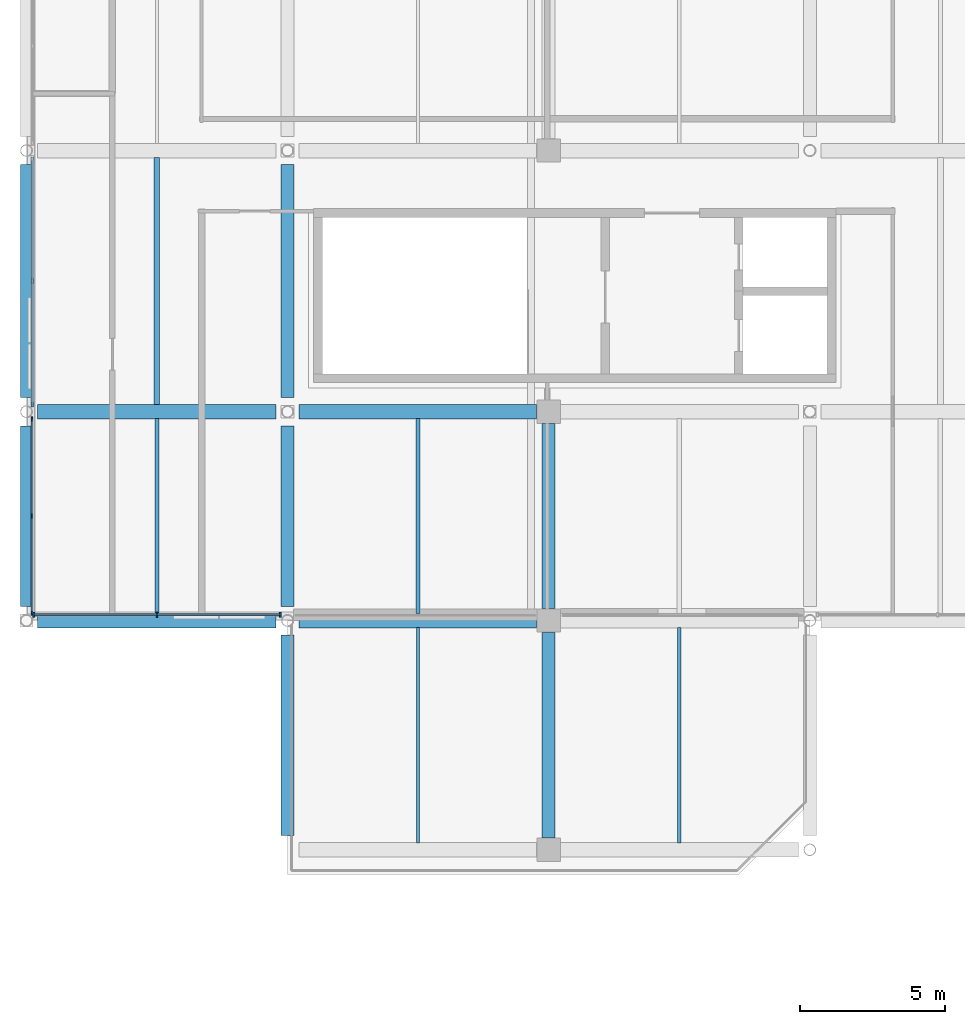
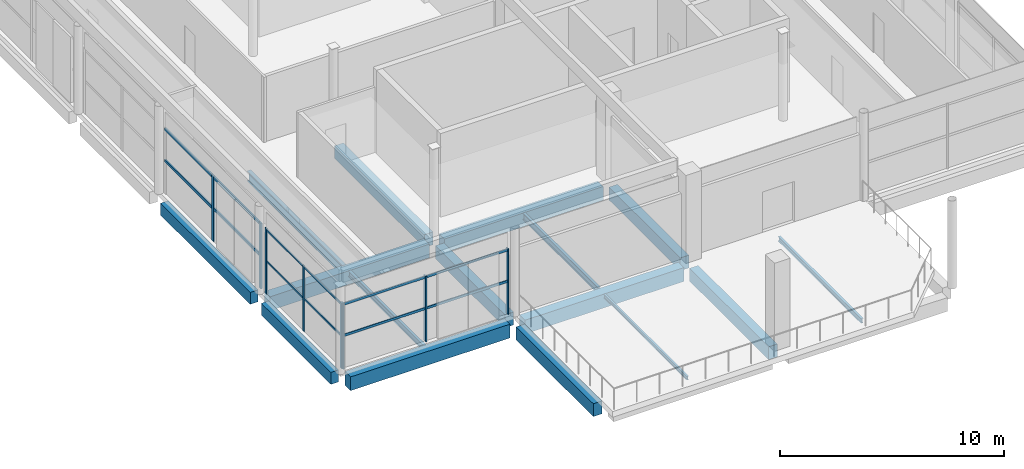
# One storey, part 7 of 114: 16 beams, 14 members, 3 elements without a shape of their own.
"""IFC4 building model written with IfcOpenShell, lengths in metres."""

import ifcopenshell
import ifcopenshell.guid

model = None  # the IFC model being written
_history = None  # IfcOwnerHistory: only IFC2X3 demands one
_inside = {}  # id of a spatial element -> (the spatial element, [elements in it])
_under = {}  # id of a project, library or spatial element -> (it, [spatial elements below it])
_declared = {}  # id of a project -> (the project, [libraries it declares])
_typed = {}  # id of a type object -> (the type object, [elements of that type])
_made_of = {}  # id of a material, layer set ... -> (it, [elements and type objects made of it])


def new_model(schema):
    """Start an empty IFC model of exactly this schema.

    Asked for "IFC4X3", IfcOpenShell would pick the latest addendum, in which some entities
    have other attributes; the version numbers below select the first issue.
    IFC2X3 requires an IfcOwnerHistory on every rooted entity: one is made here for all.
    """
    global model, _history
    if schema == "IFC4X3":
        model = ifcopenshell.file(schema_version=(4, 3, 0, 0))
    else:
        model = ifcopenshell.file(schema=schema)
    _inside.clear()
    _under.clear()
    _declared.clear()
    _typed.clear()
    _made_of.clear()
    _history = None
    if model.schema == "IFC2X3":
        org = make("IfcOrganization", Name="unknown")
        user = make(
            "IfcPersonAndOrganization",
            ThePerson=make("IfcPerson", FamilyName="unknown"),
            TheOrganization=org,
        )
        app = make(
            "IfcApplication",
            ApplicationDeveloper=org,
            Version="unknown",
            ApplicationFullName="unknown",
            ApplicationIdentifier="unknown",
        )
        _history = make(
            "IfcOwnerHistory",
            OwningUser=user,
            OwningApplication=app,
            ChangeAction="ADDED",
            CreationDate=0,
        )
    return model


def make(cls, **values):
    """One entity of the class cls with the attributes given. An attribute that is None is left unset."""
    return model.create_entity(
        cls, **{name: value for name, value in values.items() if value is not None}
    )


def rooted(cls, **values):
    """An entity with a GlobalId (a new one), such as an element, a storey or a relation."""
    return make(cls, GlobalId=ifcopenshell.guid.new(), OwnerHistory=_history, **values)


def si_unit(unit_type, name, prefix=None):
    """IfcSIUnit, for example si_unit("LENGTHUNIT", "METRE", prefix="MILLI")."""
    return make("IfcSIUnit", UnitType=unit_type, Prefix=prefix, Name=name)


def assignment(units):
    """IfcUnitAssignment: the units of a project."""
    return None if units is None else make("IfcUnitAssignment", Units=units)


def point(xyz):
    """IfcCartesianPoint."""
    return None if xyz is None else make("IfcCartesianPoint", Coordinates=xyz)


def direction(xyz):
    """IfcDirection."""
    return None if xyz is None else make("IfcDirection", DirectionRatios=xyz)


def frame(location, z_axis=None, x_axis=None):
    """IfcAxis2Placement3D, a coordinate frame: its origin and axes. An axis left out is left unset."""
    return make(
        "IfcAxis2Placement3D",
        Location=point(location),
        Axis=direction(z_axis),
        RefDirection=direction(x_axis),
    )


def frame_2d(location, x_axis=None):
    """IfcAxis2Placement2D, a coordinate frame in the plane: its origin and x axis."""
    return make(
        "IfcAxis2Placement2D", Location=point(location), RefDirection=direction(x_axis)
    )


def origin():
    """The frame at (0, 0, 0) with its axes left unset."""
    return frame((0.0, 0.0, 0.0))


def origin_2d():
    """The frame at (0, 0) in the plane with its x axis left unset."""
    return frame_2d((0.0, 0.0))


def place(relative_to, where):
    """IfcLocalPlacement: puts the frame where relative to a parent placement (None: the world)."""
    return make(
        "IfcLocalPlacement", PlacementRelTo=relative_to, RelativePlacement=where
    )


def context(
    kind, dimensions, precision=None, world=None, true_north=None, identifier=None
):
    """IfcGeometricRepresentationContext, for example the 3D "Model" context."""
    return make(
        "IfcGeometricRepresentationContext",
        ContextIdentifier=identifier,
        ContextType=kind,
        CoordinateSpaceDimension=dimensions,
        Precision=precision,
        WorldCoordinateSystem=world,
        TrueNorth=true_north,
    )


def subcontext(parent, identifier, kind, view, scale=None):
    """IfcGeometricRepresentationSubContext, for example "Body" below "Model"."""
    return make(
        "IfcGeometricRepresentationSubContext",
        ContextIdentifier=identifier,
        ContextType=kind,
        ParentContext=parent,
        TargetScale=scale,
        TargetView=view,
    )


def project(units=None, contexts=None):
    """IfcProject with its units and contexts."""
    return rooted(
        "IfcProject",
        Name="project",
        RepresentationContexts=contexts,
        UnitsInContext=assignment(units),
    )


def spatial(cls, under=None, at=None, **own):
    """A site, building, storey or space (cls), placed at a placement, below another one or the project."""
    s = rooted(cls, ObjectPlacement=at, **own)
    if under is not None:
        _under.setdefault(under.id(), (under, []))[1].append(s)
    return s


def profile(cls, at=None, kind="AREA", **sizes):
    """A parametric profile (cls). Its sizes go by their IFC names, for example OverallWidth=200.0."""
    return make(cls, ProfileType=kind, Position=at, **sizes)


def rectangle(**sizes):
    """IfcRectangleProfileDef."""
    return profile("IfcRectangleProfileDef", **sizes)


def i_section(**sizes):
    """IfcIShapeProfileDef."""
    return profile("IfcIShapeProfileDef", **sizes)


def extrude(swept, where, along, depth):
    """IfcExtrudedAreaSolid: the profile swept, set in the frame where, extruded along a direction by depth."""
    return make(
        "IfcExtrudedAreaSolid",
        SweptArea=swept,
        Position=where,
        ExtrudedDirection=direction(along),
        Depth=depth,
    )


def shape(context_of_items, identifier, shape_type, items):
    """IfcShapeRepresentation: the items that make up one representation, for example the "Body"."""
    return make(
        "IfcShapeRepresentation",
        ContextOfItems=context_of_items,
        RepresentationIdentifier=identifier,
        RepresentationType=shape_type,
        Items=items,
    )


def material(Name=None, Category=None):
    """IfcMaterial."""
    return make("IfcMaterial", Name=Name, Category=Category)


def material_profile(
    of_material, cross_section, Name=None, Category=None, Priority=None
):
    """IfcMaterialProfile: a cross section and its material."""
    return make(
        "IfcMaterialProfile",
        Name=Name,
        Material=of_material,
        Profile=cross_section,
        Priority=Priority,
        Category=Category,
    )


def profile_set(profiles, Name=None, composite=None):
    """IfcMaterialProfileSet."""
    return make(
        "IfcMaterialProfileSet",
        Name=Name,
        MaterialProfiles=profiles,
        CompositeProfile=composite,
    )


def made_of(thing, what):
    """Note that an element or type object is made of a material, layer set ...; save() writes the relation."""
    if what is not None:
        _made_of.setdefault(what.id(), (what, []))[1].append(thing)
    return thing


def type_object(cls, material=None, **own):
    """A type object (cls), such as IfcWallType, which elements share."""
    return made_of(rooted(cls, **own), material)


def element(
    cls,
    number,
    at=None,
    inside=None,
    cuts=None,
    type_object=None,
    material=None,
    context=None,
    identifier="Body",
    shape_type=None,
    held_by="IfcProductDefinitionShape",
    body=None,
    shapes=None,
    **own,
):
    """One element of the class cls, such as IfcWall. Its Tag is "e" and its number.

    at: its placement. inside: the storey or other place that contains it. cuts: it is an
    opening in that element (IfcRelVoidsElement). A single representation is given by context,
    identifier, shape_type and body (its items); several are given by shapes. held_by: the class
    of the entity that holds the representations. save() writes the other relations.
    """
    e = rooted(cls, Tag="e%d" % number, ObjectPlacement=at, **own)
    if body is not None:
        shapes = [shape(context, identifier, shape_type, body)]
    if shapes is not None:
        e.Representation = make(held_by, Representations=shapes)
    if inside is not None:
        _inside.setdefault(inside.id(), (inside, []))[1].append(e)
    if cuts is not None:
        rooted(
            "IfcRelVoidsElement", RelatingBuildingElement=cuts, RelatedOpeningElement=e
        )
    if type_object is not None:
        _typed.setdefault(type_object.id(), (type_object, []))[1].append(e)
    return made_of(e, material)


def aggregate(whole, parts):
    """IfcRelAggregates: a whole, such as a stair, and the parts it consists of."""
    return rooted("IfcRelAggregates", RelatingObject=whole, RelatedObjects=parts)


def save(model, path):
    """Write the relations noted so far, then the file.

    IfcRelAggregates (storeys below a building ...), IfcRelContainedInSpatialStructure (elements
    in a storey), IfcRelDefinesByType, IfcRelAssociatesMaterial and IfcRelDeclares: one each for
    every whole, place, type object, material and project.
    """
    for whole, parts in _under.values():
        aggregate(whole, parts)
    for where, things in _inside.values():
        rooted(
            "IfcRelContainedInSpatialStructure",
            RelatedElements=things,
            RelatingStructure=where,
        )
    for kind, things in _typed.values():
        rooted("IfcRelDefinesByType", RelatedObjects=things, RelatingType=kind)
    for what, things in _made_of.values():
        rooted("IfcRelAssociatesMaterial", RelatedObjects=things, RelatingMaterial=what)
    for by, libraries in _declared.values():
        rooted("IfcRelDeclares", RelatingContext=by, RelatedDefinitions=libraries)
    model.write(path)


model = new_model("IFC4")

# Units and contexts
model_context = context("Model", 3, precision=1e-05, world=origin(), true_north=direction((0.0, 1.0)))
body_context = subcontext(model_context, "Body", "Model", "MODEL_VIEW")
ifc_project = project(units=[si_unit("LENGTHUNIT", "METRE"), si_unit("AREAUNIT", "SQUARE_METRE"), si_unit("VOLUMEUNIT", "CUBIC_METRE"), si_unit("PLANEANGLEUNIT", "RADIAN"), si_unit("MASSUNIT", "GRAM", prefix="KILO"), si_unit("THERMODYNAMICTEMPERATUREUNIT", "KELVIN"), si_unit("POWERUNIT", "WATT")], contexts=[model_context])

# Site, building, storey
site_placement = place(None, origin())
site = spatial("IfcSite", under=ifc_project, at=site_placement, CompositionType="ELEMENT")
building_placement = place(site_placement, origin())
building = spatial("IfcBuilding", under=site, at=building_placement, Name="Sindhuravela Promenade Stadium", CompositionType="ELEMENT")
storey_placement = place(building_placement, frame((0.0, 0.0, 24.0)))
storey = spatial("IfcBuildingStorey", under=building, at=storey_placement, Name="L05", CompositionType="ELEMENT", Elevation=24.0)

# Curtain wall, members
ifc_material_1 = material(Name="Anodised architectural aluminium 6063-T6", Category="aluminium")
curtain_wall_type_1 = type_object("IfcCurtainWallType", Name="CW-MOD-3", PredefinedType="NOTDEFINED", material=ifc_material_1)
curtain_wall_1_placement = place(storey_placement, origin())
curtain_wall_1 = element("IfcCurtainWall", 1, at=curtain_wall_1_placement, inside=storey, type_object=curtain_wall_type_1, Name="Bronze curtain wall CW-WEST-L05-066", PredefinedType="NOTDEFINED")
ifc_material_profile_1 = material_profile(ifc_material_1, rectangle(XDim=0.074951171875, YDim=0.175048828125, at=origin_2d()), Name="ALU MULL 75x175")
ifc_profile_set_1 = profile_set([ifc_material_profile_1], Name="Anodised architectural aluminium 6063-T6")
member_type_1 = type_object("IfcMemberType", Name="CW-MUL-1", PredefinedType="MULLION", material=ifc_profile_set_1)
member_1_placement = place(storey_placement, frame((0.199951171875, 52.453125, 0.0), z_axis=(0.0, 0.0, 1.0), x_axis=(1.0, 0.0, 0.0)))
member_1 = element("IfcMember", 2, at=member_1_placement, type_object=member_type_1, Name="Curtain wall mullion CW-WEST-L05-066-M1", PredefinedType="MULLION", context=body_context, shape_type="SweptSolid", body=[
    extrude(rectangle(XDim=0.074951171875, YDim=0.175048828125, at=origin_2d()), origin(), (0.0, 0.0, 1.0), 3.580078125),
])
member_2_placement = place(storey_placement, frame((0.199951171875, 56.699951171875, 0.0), z_axis=(0.0, 0.0, 1.0), x_axis=(1.0, 0.0, 0.0)))
member_2 = element("IfcMember", 3, at=member_2_placement, type_object=member_type_1, Name="Curtain wall mullion CW-WEST-L05-066-M2", PredefinedType="MULLION", context=body_context, shape_type="SweptSolid", body=[
    extrude(rectangle(XDim=0.074951171875, YDim=0.175048828125, at=origin_2d()), origin(), (0.0, 0.0, 1.0), 3.580078125),
])

curtain_wall_type_2 = type_object("IfcCurtainWallType", Name="CW-MOD-7", PredefinedType="NOTDEFINED", material=ifc_material_1)
curtain_wall_2_placement = place(storey_placement, origin())
curtain_wall_2 = element("IfcCurtainWall", 4, at=curtain_wall_2_placement, inside=storey, type_object=curtain_wall_type_2, Name="Bronze curtain wall CW-WEST-L05-086", PredefinedType="NOTDEFINED")
ifc_material_profile_2 = material_profile(ifc_material_1, rectangle(XDim=0.06005859375, YDim=0.179931640625, at=origin_2d()), Name="ALU M60x180")
ifc_profile_set_2 = profile_set([ifc_material_profile_2], Name="Anodised architectural aluminium 6063-T6")
member_type_2 = type_object("IfcMemberType", Name="CW-MUL-3", PredefinedType="MULLION", material=ifc_profile_set_2)
member_3_placement = place(storey_placement, frame((8.746826171875, 45.199951171875, 0.0), z_axis=(0.0, 0.0, 1.0), x_axis=(1.0, 0.0, 0.0)))
member_3 = element("IfcMember", 5, at=member_3_placement, type_object=member_type_2, Name="Curtain wall mullion CW-WEST-L05-086-M1", PredefinedType="MULLION", context=body_context, shape_type="SweptSolid", body=[
    extrude(rectangle(XDim=0.06005859375, YDim=0.179931640625, at=origin_2d()), origin(), (0.0, 0.0, 1.0), 3.580078125),
])
member_4_placement = place(storey_placement, frame((4.5, 45.199951171875, 0.0), z_axis=(0.0, 0.0, 1.0), x_axis=(1.0, 0.0, 0.0)))
member_4 = element("IfcMember", 6, at=member_4_placement, type_object=member_type_2, Name="Curtain wall mullion CW-WEST-L05-086-M2", PredefinedType="MULLION", context=body_context, shape_type="SweptSolid", body=[
    extrude(rectangle(XDim=0.06005859375, YDim=0.179931640625, at=origin_2d()), origin(), (0.0, 0.0, 1.0), 3.580078125),
])
member_5_placement = place(storey_placement, frame((0.253173828125, 45.199951171875, 0.0), z_axis=(0.0, 0.0, 1.0), x_axis=(1.0, 0.0, 0.0)))
member_5 = element("IfcMember", 7, at=member_5_placement, type_object=member_type_2, Name="Curtain wall mullion CW-WEST-L05-086-M3", PredefinedType="MULLION", context=body_context, shape_type="SweptSolid", body=[
    extrude(rectangle(XDim=0.06005859375, YDim=0.179931640625, at=origin_2d()), origin(), (0.0, 0.0, 1.0), 3.580078125),
])

curtain_wall_type_3 = type_object("IfcCurtainWallType", Name="CW-MOD-2", PredefinedType="NOTDEFINED", material=ifc_material_1)
curtain_wall_3_placement = place(storey_placement, origin())
curtain_wall_3 = element("IfcCurtainWall", 8, at=curtain_wall_3_placement, inside=storey, type_object=curtain_wall_type_3, Name="Bronze curtain wall CW-WEST-L05-065", PredefinedType="NOTDEFINED")
ifc_material_profile_3 = material_profile(ifc_material_1, rectangle(XDim=0.054931640625, YDim=0.14990234375, at=origin_2d()), Name="ALU M55x150")
ifc_profile_set_3 = profile_set([ifc_material_profile_3], Name="Anodised architectural aluminium 6063-T6")
member_type_3 = type_object("IfcMemberType", Name="CW-MUL-6", PredefinedType="MULLION", material=ifc_profile_set_3)
member_6_placement = place(storey_placement, frame((0.199951171875, 45.253173828125, 0.0), z_axis=(0.0, 0.0, 1.0), x_axis=(1.0, 0.0, 0.0)))
member_6 = element("IfcMember", 9, at=member_6_placement, type_object=member_type_3, Name="Curtain wall mullion CW-WEST-L05-065-M1", PredefinedType="MULLION", context=body_context, shape_type="SweptSolid", body=[
    extrude(rectangle(XDim=0.054931640625, YDim=0.14990234375, at=origin_2d()), origin(), (0.0, 0.0, 1.0), 3.580078125),
])
member_7_placement = place(storey_placement, frame((0.199951171875, 48.60009765625, 0.0), z_axis=(0.0, 0.0, 1.0), x_axis=(1.0, 0.0, 0.0)))
member_7 = element("IfcMember", 10, at=member_7_placement, type_object=member_type_3, Name="Curtain wall mullion CW-WEST-L05-065-M2", PredefinedType="MULLION", context=body_context, shape_type="SweptSolid", body=[
    extrude(rectangle(XDim=0.054931640625, YDim=0.14990234375, at=origin_2d()), origin(), (0.0, 0.0, 1.0), 3.580078125),
])
member_8_placement = place(storey_placement, frame((0.199951171875, 51.94677734375, 0.0), z_axis=(0.0, 0.0, 1.0), x_axis=(1.0, 0.0, 0.0)))
member_8 = element("IfcMember", 11, at=member_8_placement, type_object=member_type_3, Name="Curtain wall mullion CW-WEST-L05-065-M3", PredefinedType="MULLION", context=body_context, shape_type="SweptSolid", body=[
    extrude(rectangle(XDim=0.054931640625, YDim=0.14990234375, at=origin_2d()), origin(), (0.0, 0.0, 1.0), 3.580078125),
])

# Member
ifc_material_profile_4 = material_profile(ifc_material_1, rectangle(XDim=0.074951171875, YDim=0.14990234375, at=origin_2d()), Name="ALU TRAN 75x150")
ifc_profile_set_4 = profile_set([ifc_material_profile_4], Name="Anodised architectural aluminium 6063-T6")
member_type_4 = type_object("IfcMemberType", Name="CW-TRN-1", PredefinedType="USERDEFINED", material=ifc_profile_set_4)
member_9_placement = place(storey_placement, frame((0.199951171875, 52.42822265625, 1.7900390625), z_axis=(0.0, 1.0, 0.0), x_axis=(-1.0, 0.0, 0.0)))
member_9 = element("IfcMember", 12, at=member_9_placement, type_object=member_type_4, Name="Curtain wall transom CW-WEST-L05-066-T1", ObjectType="TRANSOM", PredefinedType="USERDEFINED", context=body_context, shape_type="SweptSolid", body=[
    extrude(rectangle(XDim=0.074951171875, YDim=0.14990234375, at=origin_2d()), origin(), (0.0, 0.0, 1.0), 8.54345703125),
])

member_10_placement = place(storey_placement, frame((0.199951171875, 52.42822265625, 3.5), z_axis=(0.0, 1.0, 0.0), x_axis=(-1.0, 0.0, 0.0)))
member_10 = element("IfcMember", 13, at=member_10_placement, type_object=member_type_4, Name="Curtain wall transom CW-WEST-L05-066-T2", ObjectType="TRANSOM", PredefinedType="USERDEFINED", context=body_context, shape_type="SweptSolid", body=[
    extrude(rectangle(XDim=0.074951171875, YDim=0.14990234375, at=origin_2d()), origin(), (0.0, 0.0, 1.0), 8.54345703125),
])

aggregate(curtain_wall_1, [member_1, member_2, member_9, member_10])

ifc_material_profile_5 = material_profile(ifc_material_1, rectangle(XDim=0.06005859375, YDim=0.1298828125, at=origin_2d()), Name="ALU T60x130")
ifc_profile_set_5 = profile_set([ifc_material_profile_5], Name="Anodised architectural aluminium 6063-T6")
member_type_5 = type_object("IfcMemberType", Name="CW-TRN-3", PredefinedType="USERDEFINED", material=ifc_profile_set_5)
member_11_placement = place(storey_placement, frame((8.771728515625, 45.199951171875, 1.7900390625), z_axis=(-1.0, 0.0, 0.0), x_axis=(0.0, -1.0, 0.0)))
member_11 = element("IfcMember", 14, at=member_11_placement, type_object=member_type_5, Name="Curtain wall transom CW-WEST-L05-086-T1", ObjectType="TRANSOM", PredefinedType="USERDEFINED", context=body_context, shape_type="SweptSolid", body=[
    extrude(rectangle(XDim=0.06005859375, YDim=0.1298828125, at=origin_2d()), origin(), (0.0, 0.0, 1.0), 8.54345703125),
])

member_12_placement = place(storey_placement, frame((8.771728515625, 45.199951171875, 3.5), z_axis=(-1.0, 0.0, 0.0), x_axis=(0.0, -1.0, 0.0)))
member_12 = element("IfcMember", 15, at=member_12_placement, type_object=member_type_5, Name="Curtain wall transom CW-WEST-L05-086-T2", ObjectType="TRANSOM", PredefinedType="USERDEFINED", context=body_context, shape_type="SweptSolid", body=[
    extrude(rectangle(XDim=0.06005859375, YDim=0.1298828125, at=origin_2d()), origin(), (0.0, 0.0, 1.0), 8.54345703125),
])

aggregate(curtain_wall_2, [member_3, member_4, member_5, member_11, member_12])

ifc_material_profile_6 = material_profile(ifc_material_1, rectangle(XDim=0.054931640625, YDim=0.10498046875, at=origin_2d()), Name="ALU T55x105")
ifc_profile_set_6 = profile_set([ifc_material_profile_6], Name="Anodised architectural aluminium 6063-T6")
member_type_6 = type_object("IfcMemberType", Name="CW-TRN-6", PredefinedType="USERDEFINED", material=ifc_profile_set_6)
member_13_placement = place(storey_placement, frame((0.199951171875, 45.228271484375, 1.7900390625), z_axis=(0.0, 1.0, 0.0), x_axis=(-1.0, 0.0, 0.0)))
member_13 = element("IfcMember", 16, at=member_13_placement, type_object=member_type_6, Name="Curtain wall transom CW-WEST-L05-065-T1", ObjectType="TRANSOM", PredefinedType="USERDEFINED", context=body_context, shape_type="SweptSolid", body=[
    extrude(rectangle(XDim=0.054931640625, YDim=0.10498046875, at=origin_2d()), origin(), (0.0, 0.0, 1.0), 6.743408203125),
])

member_14_placement = place(storey_placement, frame((0.199951171875, 45.228271484375, 3.5), z_axis=(0.0, 1.0, 0.0), x_axis=(-1.0, 0.0, 0.0)))
member_14 = element("IfcMember", 17, at=member_14_placement, type_object=member_type_6, Name="Curtain wall transom CW-WEST-L05-065-T2", ObjectType="TRANSOM", PredefinedType="USERDEFINED", context=body_context, shape_type="SweptSolid", body=[
    extrude(rectangle(XDim=0.054931640625, YDim=0.10498046875, at=origin_2d()), origin(), (0.0, 0.0, 1.0), 6.743408203125),
])

aggregate(curtain_wall_3, [member_6, member_7, member_8, member_13, member_14])

# Beams
ifc_material_2 = material(Name="Concrete M40", Category="concrete")
ifc_material_profile_7 = material_profile(ifc_material_2, rectangle(XDim=0.39990234375, YDim=0.64990234375, at=origin_2d()), Name="RC 400x650")
ifc_profile_set_7 = profile_set([ifc_material_profile_7], Name="Concrete M40")
beam_type_1 = type_object("IfcBeamType", Name="RC-BM-400x650", PredefinedType="SPANDREL", material=ifc_profile_set_7)
beam_1_placement = place(storey_placement, frame((0.0, 45.489990234375, -0.574951171875), z_axis=(0.0, 1.0, 0.0), x_axis=(-1.0, 0.0, 0.0)))
element("IfcBeam", 18, at=beam_1_placement, inside=storey, type_object=beam_type_1, Name="Primary beam SP01 WEST L05", PredefinedType="SPANDREL", context=body_context, shape_type="SweptSolid", body=[
    extrude(rectangle(XDim=0.39990234375, YDim=0.64990234375, at=origin_2d()), origin(), (0.0, 0.0, 1.0), 6.219970703125),
])
beam_2_placement = place(storey_placement, frame((0.0, 52.68994140625, -0.574951171875), z_axis=(0.0, 1.0, 0.0), x_axis=(-1.0, 0.0, 0.0)))
element("IfcBeam", 19, at=beam_2_placement, inside=storey, type_object=beam_type_1, Name="Primary beam SP01 WEST L05", PredefinedType="SPANDREL", context=body_context, shape_type="SweptSolid", body=[
    extrude(rectangle(XDim=0.39990234375, YDim=0.64990234375, at=origin_2d()), origin(), (0.0, 0.0, 1.0), 8.02001953125),
])
ifc_material_profile_8 = material_profile(ifc_material_2, rectangle(XDim=0.449951171875, YDim=0.699951171875, at=origin_2d()), Name="RC 450x700")
ifc_profile_set_8 = profile_set([ifc_material_profile_8], Name="Concrete M40")
beam_type_2 = type_object("IfcBeamType", Name="RC-BM-450x700", PredefinedType="BEAM", material=ifc_profile_set_8)
beam_3_placement = place(storey_placement, frame((9.0, 37.590087890625, -0.659912109375), z_axis=(0.0, 1.0, 0.0), x_axis=(-1.0, 0.0, 0.0)))
element("IfcBeam", 20, at=beam_3_placement, inside=storey, type_object=beam_type_2, Name="Primary beam GB07 WEST L05", PredefinedType="BEAM", context=body_context, shape_type="SweptSolid", body=[
    extrude(rectangle(XDim=0.449951171875, YDim=0.699951171875, at=origin_2d()), origin(), (0.0, 0.0, 1.0), 6.919921875),
])
beam_4_placement = place(storey_placement, frame((9.0, 45.489990234375, -0.60009765625), z_axis=(0.0, 1.0, 0.0), x_axis=(-1.0, 0.0, 0.0)))
element("IfcBeam", 21, at=beam_4_placement, inside=storey, type_object=beam_type_2, Name="Primary beam GB07 WEST L05", PredefinedType="BEAM", context=body_context, shape_type="SweptSolid", body=[
    extrude(rectangle(XDim=0.449951171875, YDim=0.699951171875, at=origin_2d()), origin(), (0.0, 0.0, 1.0), 6.219970703125),
])
beam_5_placement = place(storey_placement, frame((9.0, 52.68994140625, -0.60009765625), z_axis=(0.0, 1.0, 0.0), x_axis=(-1.0, 0.0, 0.0)))
element("IfcBeam", 22, at=beam_5_placement, inside=storey, type_object=beam_type_2, Name="Primary beam GB07 WEST L05", PredefinedType="BEAM", context=body_context, shape_type="SweptSolid", body=[
    extrude(rectangle(XDim=0.449951171875, YDim=0.699951171875, at=origin_2d()), origin(), (0.0, 0.0, 1.0), 8.02001953125),
])
beam_6_placement = place(storey_placement, frame((18.0, 37.514892578125, -0.659912109375), z_axis=(0.0, 1.0, 0.0), x_axis=(-1.0, 0.0, 0.0)))
element("IfcBeam", 23, at=beam_6_placement, inside=storey, type_object=beam_type_2, Name="Primary beam GB07 WEST L05", PredefinedType="BEAM", context=body_context, shape_type="SweptSolid", body=[
    extrude(rectangle(XDim=0.449951171875, YDim=0.699951171875, at=origin_2d()), origin(), (0.0, 0.0, 1.0), 7.070068359375),
])
beam_7_placement = place(storey_placement, frame((18.0, 45.4150390625, -0.60009765625), z_axis=(0.0, 1.0, 0.0), x_axis=(-1.0, 0.0, 0.0)))
element("IfcBeam", 24, at=beam_7_placement, inside=storey, type_object=beam_type_2, Name="Primary beam GB07 WEST L05", PredefinedType="BEAM", context=body_context, shape_type="SweptSolid", body=[
    extrude(rectangle(XDim=0.449951171875, YDim=0.699951171875, at=origin_2d()), origin(), (0.0, 0.0, 1.0), 6.369873046875),
])
ifc_material_profile_9 = material_profile(ifc_material_2, rectangle(XDim=0.5, YDim=0.75, at=origin_2d()), Name="RC 500x750")
ifc_profile_set_9 = profile_set([ifc_material_profile_9], Name="Concrete M40")
beam_type_3 = type_object("IfcBeamType", Name="RC-BM-500x750", PredefinedType="BEAM", material=ifc_profile_set_9)
beam_8_placement = place(storey_placement, frame((0.389892578125, 45.0, -0.625), z_axis=(1.0, 0.0, 0.0), x_axis=(0.0, 1.0, 0.0)))
element("IfcBeam", 25, at=beam_8_placement, inside=storey, type_object=beam_type_3, Name="Primary girder GB06 WEST L05", PredefinedType="BEAM", context=body_context, shape_type="SweptSolid", body=[
    extrude(rectangle(XDim=0.5, YDim=0.75, at=origin_2d()), origin(), (0.0, 0.0, 1.0), 8.22021484375),
])
beam_9_placement = place(storey_placement, frame((9.389892578125, 45.0, -0.68505859375), z_axis=(1.0, 0.0, 0.0), x_axis=(0.0, 1.0, 0.0)))
element("IfcBeam", 26, at=beam_9_placement, inside=storey, type_object=beam_type_3, Name="Primary girder GB06 WEST L05", PredefinedType="BEAM", context=body_context, shape_type="SweptSolid", body=[
    extrude(rectangle(XDim=0.5, YDim=0.75, at=origin_2d()), origin(), (0.0, 0.0, 1.0), 8.195068359375),
])
beam_10_placement = place(storey_placement, frame((0.389892578125, 52.199951171875, -0.625), z_axis=(1.0, 0.0, 0.0), x_axis=(0.0, 1.0, 0.0)))
element("IfcBeam", 27, at=beam_10_placement, inside=storey, type_object=beam_type_3, Name="Primary girder GB06 WEST L05", PredefinedType="BEAM", context=body_context, shape_type="SweptSolid", body=[
    extrude(rectangle(XDim=0.5, YDim=0.75, at=origin_2d()), origin(), (0.0, 0.0, 1.0), 8.22021484375),
])
beam_11_placement = place(storey_placement, frame((9.389892578125, 52.199951171875, -0.625), z_axis=(1.0, 0.0, 0.0), x_axis=(0.0, 1.0, 0.0)))
element("IfcBeam", 28, at=beam_11_placement, inside=storey, type_object=beam_type_3, Name="Primary girder GB06 WEST L05", PredefinedType="BEAM", context=body_context, shape_type="SweptSolid", body=[
    extrude(rectangle(XDim=0.5, YDim=0.75, at=origin_2d()), origin(), (0.0, 0.0, 1.0), 8.195068359375),
])
ifc_material_3 = material(Name="Steel E350 (IS 2062 E350BR)", Category="steel")
ifc_material_profile_10 = material_profile(ifc_material_3, i_section(OverallWidth=0.10009765625, OverallDepth=0.199951171875, WebThickness=0.005615234375, FlangeThickness=0.0107421875, FilletRadius=0.010986328125, at=origin_2d()), Name="ISMB 200")
ifc_profile_set_10 = profile_set([ifc_material_profile_10], Name="Steel E350 (IS 2062 E350BR)")
beam_type_4 = type_object("IfcBeamType", Name="ST-BM-MB200", PredefinedType="JOIST", material=ifc_profile_set_10)
beam_12_placement = place(storey_placement, frame((13.5, 37.340087890625, -0.409912109375), z_axis=(0.0, 1.0, 0.0), x_axis=(-1.0, 0.0, 0.0)))
element("IfcBeam", 29, at=beam_12_placement, inside=storey, type_object=beam_type_4, Name="Secondary floor joist SB01 WEST L05", PredefinedType="JOIST", context=body_context, shape_type="SweptSolid", body=[
    extrude(i_section(OverallWidth=0.10009765625, OverallDepth=0.199951171875, WebThickness=0.005615234375, FlangeThickness=0.0107421875, FilletRadius=0.010986328125, at=origin_2d()), origin(), (0.0, 0.0, 1.0), 7.419921875),
])
ifc_material_profile_11 = material_profile(ifc_material_3, i_section(OverallWidth=0.125, OverallDepth=0.25, WebThickness=0.0068359375, FlangeThickness=0.012451171875, FilletRadius=0.012939453125, at=origin_2d()), Name="ISMB 250")
ifc_profile_set_11 = profile_set([ifc_material_profile_11], Name="Steel E350 (IS 2062 E350BR)")
beam_type_5 = type_object("IfcBeamType", Name="ST-BM-MB250", PredefinedType="JOIST", material=ifc_profile_set_11)
beam_13_placement = place(storey_placement, frame((22.5, 37.340087890625, -0.43505859375), z_axis=(0.0, 1.0, 0.0), x_axis=(-1.0, 0.0, 0.0)))
element("IfcBeam", 30, at=beam_13_placement, inside=storey, type_object=beam_type_5, Name="Secondary floor joist SB02 WEST L05", PredefinedType="JOIST", context=body_context, shape_type="SweptSolid", body=[
    extrude(i_section(OverallWidth=0.125, OverallDepth=0.25, WebThickness=0.0068359375, FlangeThickness=0.012451171875, FilletRadius=0.012939453125, at=origin_2d()), origin(), (0.0, 0.0, 1.0), 7.419921875),
])
ifc_material_profile_12 = material_profile(ifc_material_3, i_section(OverallWidth=0.139892578125, OverallDepth=0.300048828125, WebThickness=0.0078125, FlangeThickness=0.01318359375, FilletRadius=0.013916015625, at=origin_2d()), Name="ISMB 300")
ifc_profile_set_12 = profile_set([ifc_material_profile_12], Name="Steel E350 (IS 2062 E350BR)")
beam_type_6 = type_object("IfcBeamType", Name="ST-BM-MB300", PredefinedType="JOIST", material=ifc_profile_set_12)
beam_14_placement = place(storey_placement, frame((4.5, 45.239990234375, -0.39990234375), z_axis=(0.0, 1.0, 0.0), x_axis=(-1.0, 0.0, 0.0)))
element("IfcBeam", 31, at=beam_14_placement, inside=storey, type_object=beam_type_6, Name="Secondary floor joist SB03 WEST L05", PredefinedType="JOIST", context=body_context, shape_type="SweptSolid", body=[
    extrude(i_section(OverallWidth=0.139892578125, OverallDepth=0.300048828125, WebThickness=0.0078125, FlangeThickness=0.01318359375, FilletRadius=0.013916015625, at=origin_2d()), origin(), (0.0, 0.0, 1.0), 6.719970703125),
])
ifc_material_profile_13 = material_profile(ifc_material_3, i_section(OverallWidth=0.139892578125, OverallDepth=0.35009765625, WebThickness=0.008056640625, FlangeThickness=0.01416015625, FilletRadius=0.013916015625, at=origin_2d()), Name="ISMB 350")
ifc_profile_set_13 = profile_set([ifc_material_profile_13], Name="Steel E350 (IS 2062 E350BR)")
beam_type_7 = type_object("IfcBeamType", Name="ST-BM-MB350", PredefinedType="JOIST", material=ifc_profile_set_13)
beam_15_placement = place(storey_placement, frame((13.5, 45.239990234375, -0.425048828125), z_axis=(0.0, 1.0, 0.0), x_axis=(-1.0, 0.0, 0.0)))
element("IfcBeam", 32, at=beam_15_placement, inside=storey, type_object=beam_type_7, Name="Secondary floor joist SB04 WEST L05", PredefinedType="JOIST", context=body_context, shape_type="SweptSolid", body=[
    extrude(i_section(OverallWidth=0.139892578125, OverallDepth=0.35009765625, WebThickness=0.008056640625, FlangeThickness=0.01416015625, FilletRadius=0.013916015625, at=origin_2d()), origin(), (0.0, 0.0, 1.0), 6.719970703125),
])
ifc_material_profile_14 = material_profile(ifc_material_3, i_section(OverallWidth=0.18994140625, OverallDepth=0.550048828125, WebThickness=0.01123046875, FlangeThickness=0.019287109375, FilletRadius=0.01806640625, at=origin_2d()), Name="ISMB 550")
ifc_profile_set_14 = profile_set([ifc_material_profile_14], Name="Steel E350 (IS 2062 E350BR)")
beam_type_8 = type_object("IfcBeamType", Name="ST-BM-MB550", PredefinedType="SPANDREL", material=ifc_profile_set_14)
beam_16_placement = place(storey_placement, frame((4.5, 52.43994140625, -0.52490234375), z_axis=(0.0, 1.0, 0.0), x_axis=(-1.0, 0.0, 0.0)))
element("IfcBeam", 33, at=beam_16_placement, inside=storey, type_object=beam_type_8, Name="Secondary floor joist SB08 WEST L05", PredefinedType="SPANDREL", context=body_context, shape_type="SweptSolid", body=[
    extrude(i_section(OverallWidth=0.18994140625, OverallDepth=0.550048828125, WebThickness=0.01123046875, FlangeThickness=0.019287109375, FilletRadius=0.01806640625, at=origin_2d()), origin(), (0.0, 0.0, 1.0), 8.52001953125),
])

save(model, "model.ifc")
